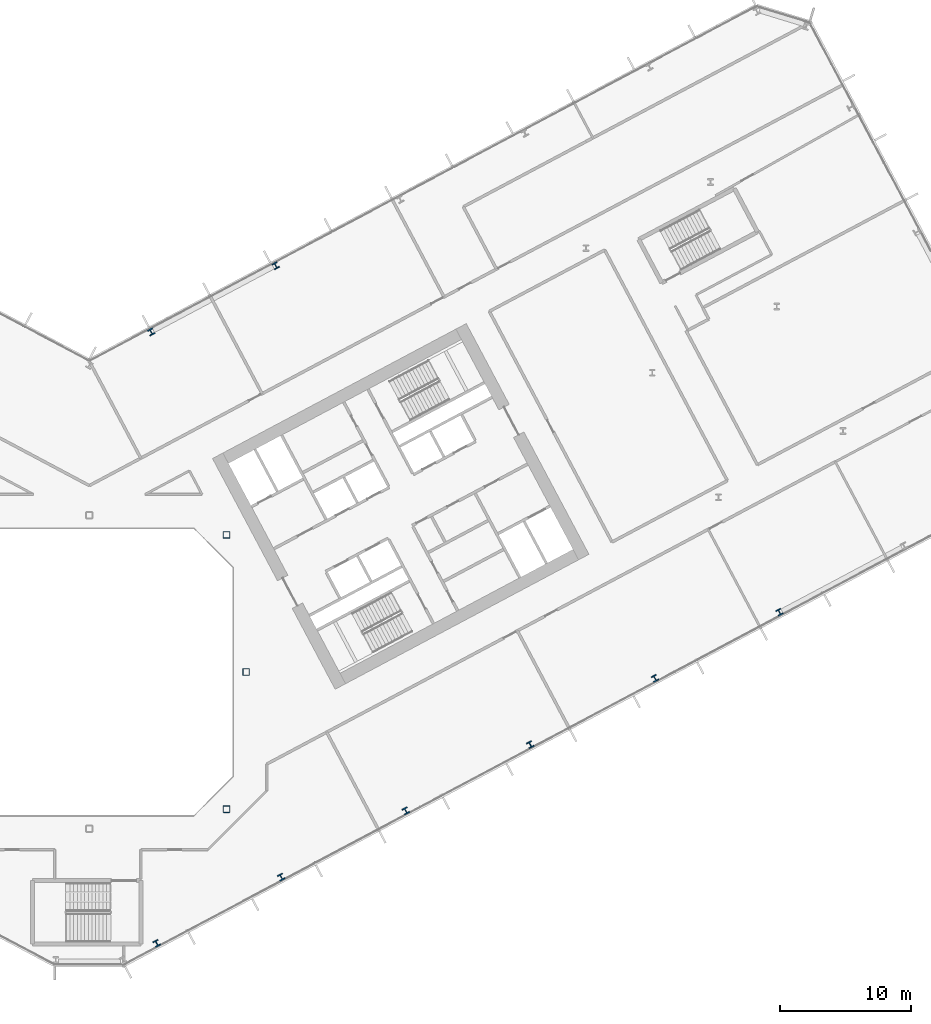
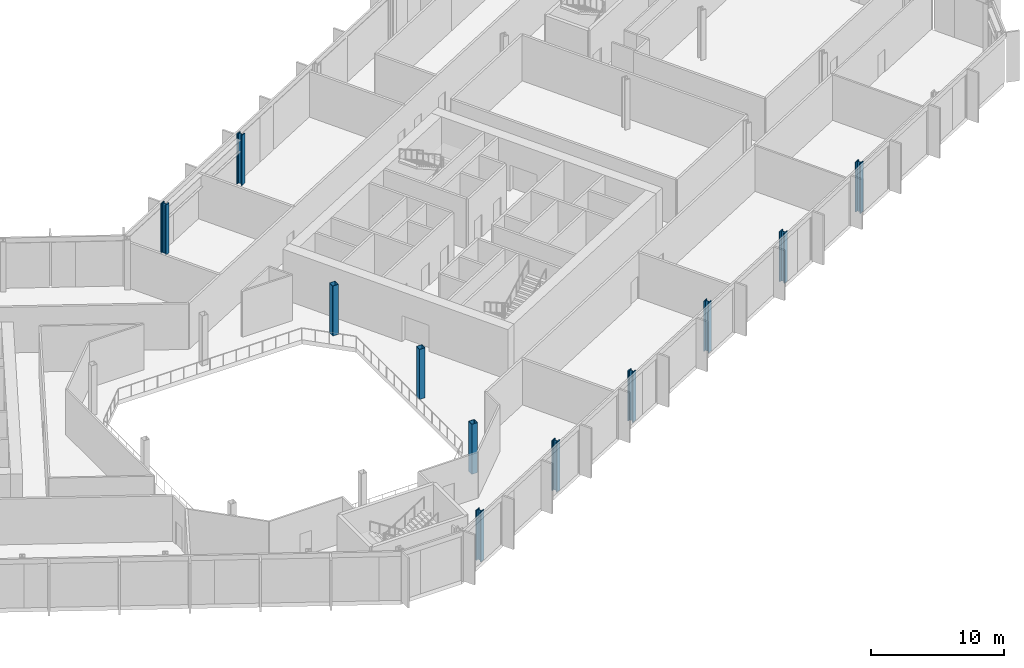
# One storey, part 3 of 31: 11 columns.
"""IFC4 building model written with IfcOpenShell, lengths in metres."""

from ifc_helpers import new_model, si_unit, direction, frame, origin, origin_2d, place, context, subcontext, project, spatial, hollow_rectangle, i_section, extrude, material, material_profile, profile_set, type_object, element, save


model = new_model("IFC4")

# Units and contexts
model_context = context("Model", 3, precision=1e-05, world=origin(), true_north=direction((0.0, 1.0)))
body_context = subcontext(model_context, "Body", "Model", "MODEL_VIEW")
ifc_project = project(units=[si_unit("LENGTHUNIT", "METRE"), si_unit("AREAUNIT", "SQUARE_METRE"), si_unit("VOLUMEUNIT", "CUBIC_METRE"), si_unit("PLANEANGLEUNIT", "RADIAN"), si_unit("MASSUNIT", "GRAM", prefix="KILO")], contexts=[model_context])

# Site, building, storey
site_placement = place(None, origin())
site = spatial("IfcSite", under=ifc_project, at=site_placement, CompositionType="ELEMENT")
building_placement = place(site_placement, origin())
building = spatial("IfcBuilding", under=site, at=building_placement, Name="Cormorant Relay Tower", CompositionType="ELEMENT")
storey_placement = place(building_placement, frame((0.0, 0.0, 98.39990234375)))
storey = spatial("IfcBuildingStorey", under=building, at=storey_placement, Name="L19", CompositionType="ELEMENT", Elevation=98.39990234375)

# Columns
ifc_material_1 = material(Name="Steel ASTM A500 Grade C (Fy 345 MPa)", Category="steel")
ifc_material_profile_1 = material_profile(ifc_material_1, hollow_rectangle(XDim=0.508056640625, YDim=0.508056640625, WallThickness=0.020751953125, InnerFilletRadius=0.01025390625, OuterFilletRadius=0.031005859375, at=origin_2d()), Name="HSS508x508x21")
ifc_profile_set_1 = profile_set([ifc_material_profile_1], Name="Steel ASTM A500 Grade C (Fy 345 MPa)")
column_type_1 = type_object("IfcColumnType", Name="Column HSS508x508x21", PredefinedType="COLUMN", material=ifc_profile_set_1)
for number, where, z_axis, x_axis, name in (
    (1, (10.5, -10.5, 0.0), (0.0, 0.0, 1.0), (1.0, 0.0, 0.0), "Column L19-010"),
    (2, (12.0, 0.0, 0.0), (0.0, 0.0, 1.0), (1.0, 0.0, 0.0), "Column L19-016"),
    (3, (10.5, 10.5, 0.0), (0.0, 0.0, 1.0), (1.0, 0.0, 0.0), "Column L19-023"),
):
    element("IfcColumn", number, at=place(storey_placement, frame(where, z_axis=z_axis, x_axis=x_axis)), inside=storey, type_object=column_type_1, Name=name, PredefinedType="COLUMN", context=body_context, shape_type="SweptSolid", body=[
        extrude(hollow_rectangle(XDim=0.508056640625, YDim=0.508056640625, WallThickness=0.020751953125, InnerFilletRadius=0.01025390625, OuterFilletRadius=0.031005859375, at=origin_2d()), origin(), (0.0, 0.0, 1.0), 4.60009765625),
    ])
ifc_material_2 = material(Name="Steel ASTM A992 (Fy 345 MPa)", Category="steel")
ifc_material_profile_2 = material_profile(ifc_material_2, i_section(OverallWidth=0.42431640625, OverallDepth=0.47509765625, WebThickness=0.0478515625, FlangeThickness=0.0771484375, FilletRadius=0.014892578125, at=origin_2d()), Name="W360x634")
ifc_profile_set_2 = profile_set([ifc_material_profile_2], Name="Steel ASTM A992 (Fy 345 MPa)")
column_type_2 = type_object("IfcColumnType", Name="Column W360x634", PredefinedType="COLUMN", material=ifc_profile_set_2)
for number, where, z_axis, x_axis, name in (
    (4, (5.155029296875, -20.77099609375, 0.0), (0.0, 0.0, 1.0), (0.882947592859, 0.469471562786, 0.0), "Column L19-003"),
    (5, (14.69091796875, -15.700927734375, 0.0), (0.0, 0.0, 1.0), (0.882947592859, 0.469471562786, 0.0), "Column L19-005"),
    (6, (24.22705078125, -10.631103515625, 0.0), (0.0, 0.0, 1.0), (0.882947592859, 0.469471562786, 0.0), "Column L19-008"),
    (7, (33.761962890625, -5.56005859375, 0.0), (0.0, 0.0, 1.0), (0.882947592859, 0.469471562786, 0.0), "Column L19-012"),
    (8, (43.298095703125, -0.489990234375, 0.0), (0.0, 0.0, 1.0), (0.882947592859, 0.469471562786, 0.0), "Column L19-014"),
    (9, (52.833984375, 4.580078125, 0.0), (0.0, 0.0, 1.0), (0.882947592859, 0.469471562786, 0.0), "Column L19-019"),
    (10, (4.73388671875, 26.029052734375, 0.0), (0.0, 0.0, 1.0), (-0.882947592859, -0.469471562786, 0.0), "Column L19-035"),
    (11, (14.27001953125, 31.10009765625, 0.0), (0.0, 0.0, 1.0), (-0.882947592859, -0.469471562786, 0.0), "Column L19-039"),
):
    element("IfcColumn", number, at=place(storey_placement, frame(where, z_axis=z_axis, x_axis=x_axis)), inside=storey, type_object=column_type_2, Name=name, PredefinedType="COLUMN", context=body_context, shape_type="SweptSolid", body=[
        extrude(i_section(OverallWidth=0.42431640625, OverallDepth=0.47509765625, WebThickness=0.0478515625, FlangeThickness=0.0771484375, FilletRadius=0.014892578125, at=origin_2d()), origin(), (0.0, 0.0, 1.0), 4.60009765625),
    ])

save(model, "model.ifc")
